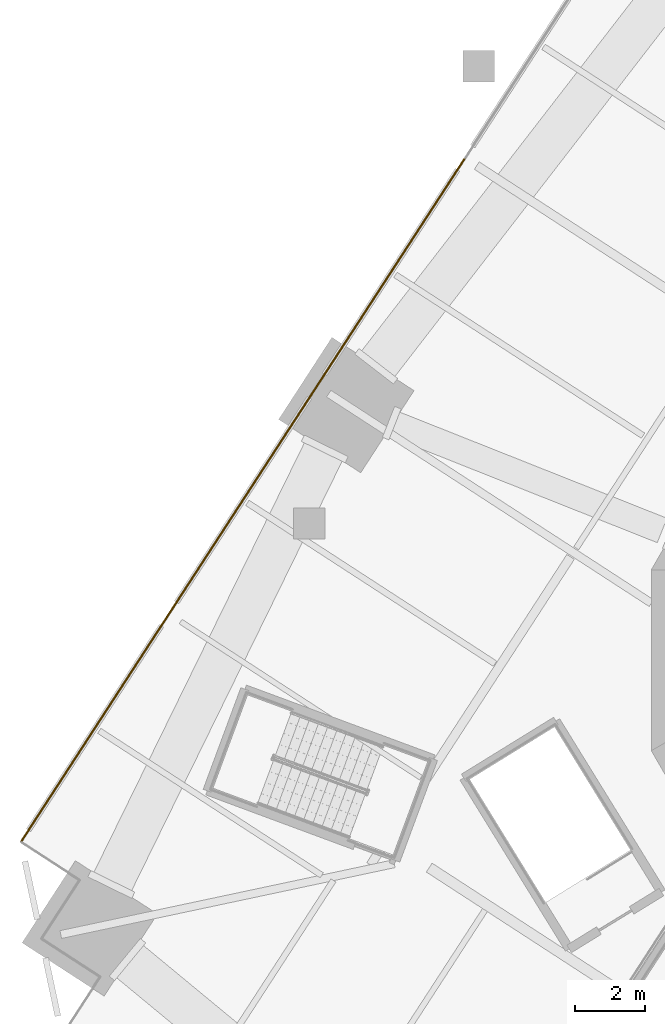
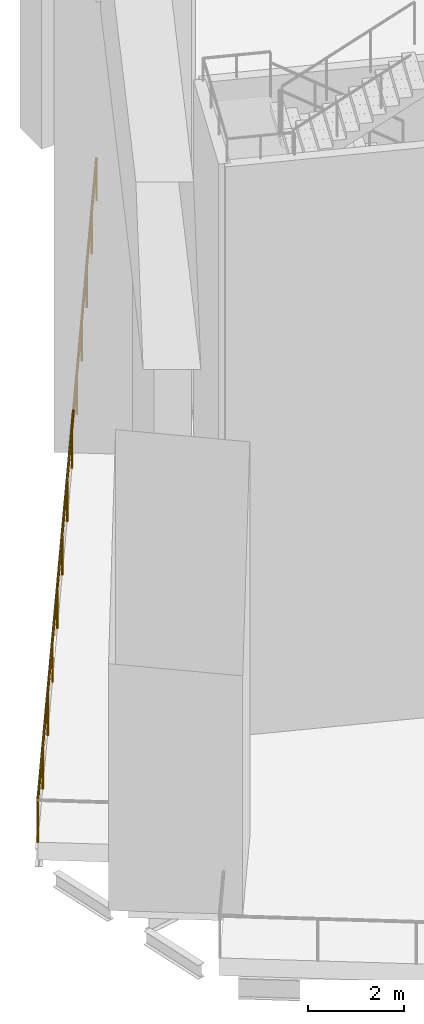
# One storey, part 13 of 16: 1 railing.
"""IFC4 building model written with IfcOpenShell, lengths in metres."""

from ifc_helpers import new_model, si_unit, direction, frame, origin, origin_2d, place, context, subcontext, project, spatial, circle, extrude, material, type_object, element, save


model = new_model("IFC4")

# Units and contexts
model_context = context("Model", 3, precision=1e-05, world=origin(), true_north=direction((0.0, 1.0)))
body_context = subcontext(model_context, "Body", "Model", "MODEL_VIEW")
ifc_project = project(units=[si_unit("LENGTHUNIT", "METRE"), si_unit("AREAUNIT", "SQUARE_METRE"), si_unit("VOLUMEUNIT", "CUBIC_METRE"), si_unit("PLANEANGLEUNIT", "RADIAN"), si_unit("MASSUNIT", "GRAM", prefix="KILO")], contexts=[model_context])

# Site, building, storey
site_placement = place(None, origin())
site = spatial("IfcSite", under=ifc_project, at=site_placement, CompositionType="ELEMENT")
building_placement = place(site_placement, origin())
building = spatial("IfcBuilding", under=site, at=building_placement, Name="Cantera Rosa Tower", CompositionType="ELEMENT")
storey_placement = place(building_placement, frame((0.0, 0.0, 290.10009765625)))
storey = spatial("IfcBuildingStorey", under=building, at=storey_placement, Name="L66", CompositionType="ELEMENT", Elevation=290.10009765625)

# Railing
ifc_material = material(Name="Stainless steel and laminated glass", Category="steel")
railing_type = type_object("IfcRailingType", Name="GUARD 1100", PredefinedType="BALUSTRADE", material=ifc_material)
railing_placement = place(storey_placement, frame((-14.990234375, 14.373046875, 0.0)))
element("IfcRailing", 1, at=railing_placement, inside=storey, type_object=railing_type, Name="PORTAL GUARD L66-7", PredefinedType="BALUSTRADE", context=body_context, shape_type="SweptSolid", body=[
    extrude(circle(Radius=0.030029296875, at=origin_2d()), frame((0.0, 0.0, 1.070068359375), z_axis=(-0.544642326705, -0.838668430288, 0.0), x_axis=(0.838668430288, -0.544642326705, 0.0)), (0.0, 0.0, 1.0), 23.33984375),
    extrude(circle(Radius=0.02490234375, at=origin_2d()), origin(), (0.0, 0.0, 1.0), 1.0400390625),
    extrude(circle(Radius=0.02490234375, at=origin_2d()), frame((-1.059326171875, -1.631103515625, 0.0)), (0.0, 0.0, 1.0), 1.0400390625),
    extrude(circle(Radius=0.02490234375, at=origin_2d()), frame((-2.11865234375, -3.262451171875, 0.0)), (0.0, 0.0, 1.0), 1.0400390625),
    extrude(circle(Radius=0.02490234375, at=origin_2d()), frame((-3.177978515625, -4.8935546875, 0.0)), (0.0, 0.0, 1.0), 1.0400390625),
    extrude(circle(Radius=0.02490234375, at=origin_2d()), frame((-4.2373046875, -6.52490234375, 0.0)), (0.0, 0.0, 1.0), 1.0400390625),
    extrude(circle(Radius=0.02490234375, at=origin_2d()), frame((-5.296630859375, -8.156005859375, 0.0)), (0.0, 0.0, 1.0), 1.0400390625),
    extrude(circle(Radius=0.02490234375, at=origin_2d()), frame((-6.35595703125, -9.787109375, 0.0)), (0.0, 0.0, 1.0), 1.0400390625),
    extrude(circle(Radius=0.02490234375, at=origin_2d()), frame((-7.415283203125, -11.41845703125, 0.0)), (0.0, 0.0, 1.0), 1.0400390625),
    extrude(circle(Radius=0.02490234375, at=origin_2d()), frame((-8.474609375, -13.049560546875, 0.0)), (0.0, 0.0, 1.0), 1.0400390625),
    extrude(circle(Radius=0.02490234375, at=origin_2d()), frame((-9.533935546875, -14.680908203125, 0.0)), (0.0, 0.0, 1.0), 1.0400390625),
    extrude(circle(Radius=0.02490234375, at=origin_2d()), frame((-10.59326171875, -16.31201171875, 0.0)), (0.0, 0.0, 1.0), 1.0400390625),
    extrude(circle(Radius=0.02490234375, at=origin_2d()), frame((-11.652587890625, -17.943359375, 0.0)), (0.0, 0.0, 1.0), 1.0400390625),
    extrude(circle(Radius=0.02490234375, at=origin_2d()), frame((-12.7119140625, -19.574462890625, 0.0)), (0.0, 0.0, 1.0), 1.0400390625),
])

save(model, "model.ifc")
